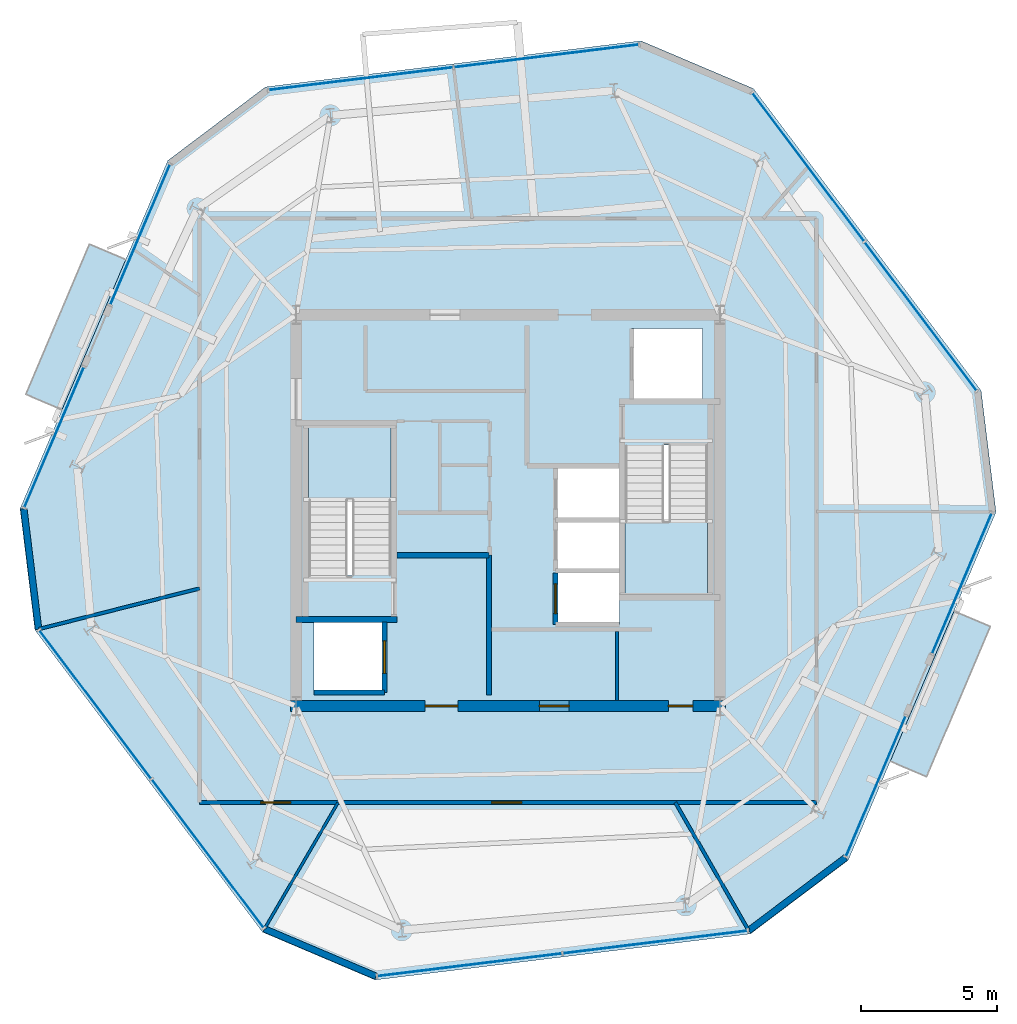
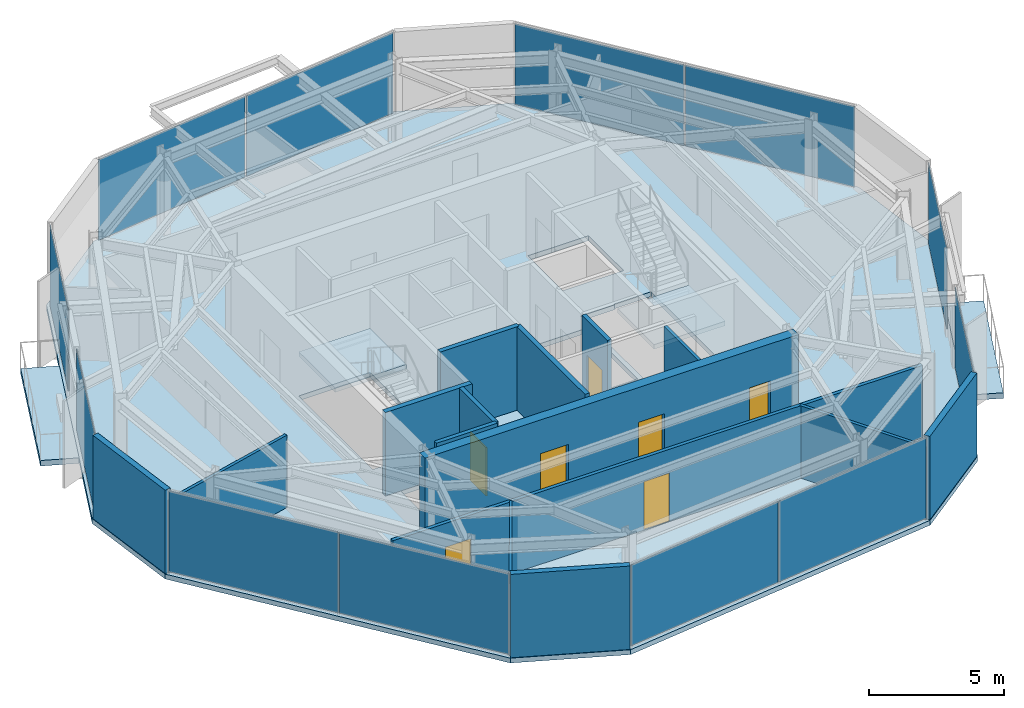
# One storey, part 6 of 11: 15 walls, 12 plates, 7 doors, 5 slabs, 7 openings, 10 elements without a shape of their own.
"""IFC4 building model written with IfcOpenShell, lengths in metres."""

from ifc_helpers import new_model, si_unit, direction, frame, frame_2d, origin, origin_2d, place, context, subcontext, project, spatial, polyline, rectangle, outline, extrude, material, layer, layer_set, type_object, element, fill, aggregate, save


model = new_model("IFC4")

# Units and contexts
model_context = context("Model", 3, precision=1e-05, world=origin(), true_north=direction((0.0, 1.0)))
body_context = subcontext(model_context, "Body", "Model", "MODEL_VIEW")
ifc_project = project(units=[si_unit("LENGTHUNIT", "METRE"), si_unit("AREAUNIT", "SQUARE_METRE"), si_unit("VOLUMEUNIT", "CUBIC_METRE"), si_unit("PLANEANGLEUNIT", "RADIAN"), si_unit("MASSUNIT", "GRAM", prefix="KILO")], contexts=[model_context])

# Site, building, storey
site_placement = place(None, origin())
site = spatial("IfcSite", under=ifc_project, at=site_placement, CompositionType="ELEMENT")
building_placement = place(site_placement, origin())
building = spatial("IfcBuilding", under=site, at=building_placement, Name="Kranzbogen Civic Tower", CompositionType="ELEMENT")
storey_placement = place(building_placement, frame((0.0, 0.0, 294.199951171875)))
storey = spatial("IfcBuildingStorey", under=building, at=storey_placement, Name="L71", CompositionType="ELEMENT", Elevation=294.199951171875)

# Slab
ifc_material_1 = material(Name="Concrete C40/50", Category="concrete")
ifc_layer_1 = layer(ifc_material_1, 0.219970703125, Name="Concrete C40/50")
ifc_layer_set_1 = layer_set([ifc_layer_1], Name="Concrete C40/50")
slab_type_1 = type_object("IfcSlabType", Name="Composite Upper Tower Floor Slab 220 mm", PredefinedType="FLOOR", material=ifc_layer_set_1)
slab_1_placement = place(storey_placement, frame((0.0, 0.0, -0.219970703125)))
element("IfcSlab", 1, at=slab_1_placement, inside=storey, type_object=slab_type_1, Name="L71 tower floor slab", PredefinedType="FLOOR", context=body_context, shape_type="SweptSolid", body=[
    extrude(outline(polyline([(29.89208984375, 42.283935546875), (16.072021484375, 40.5869140625), (12.47802734375, 37.8779296875), (7.0380859375, 25.06103515625), (7.5859375, 20.594970703125), (15.966064453125, 9.47509765625), (20.10791015625, 7.716064453125), (33.927978515625, 9.4130859375), (37.52197265625, 12.1220703125), (42.9619140625, 24.93896484375), (42.4140625, 29.405029296875), (34.033935546875, 40.52490234375), (29.89208984375, 42.283935546875)]), holes=[polyline([(17.85009765625, 20.89990234375), (20.449951171875, 20.89990234375), (20.449951171875, 18.300048828125), (17.85009765625, 18.300048828125), (17.85009765625, 20.89990234375)]), polyline([(29.10009765625, 22.699951171875), (29.10009765625, 20.800048828125), (26.75, 20.800048828125), (26.75, 22.699951171875), (29.10009765625, 22.699951171875)]), polyline([(29.10009765625, 24.64990234375), (29.10009765625, 22.77490234375), (26.75, 22.77490234375), (26.75, 24.64990234375), (26.75, 24.675048828125), (26.75, 26.550048828125), (29.10009765625, 26.550048828125), (29.10009765625, 24.675048828125), (29.10009765625, 24.64990234375)]), polyline([(29.300048828125, 27.340087890625), (30.75, 27.340087890625), (30.75, 27.39990234375), (32.35009765625, 27.39990234375), (32.35009765625, 21.89990234375), (29.300048828125, 21.89990234375), (29.300048828125, 27.340087890625)]), polyline([(20.699951171875, 22.659912109375), (19.25, 22.659912109375), (19.25, 22.60009765625), (17.64990234375, 22.60009765625), (17.64990234375, 28.10009765625), (20.699951171875, 28.10009765625), (20.699951171875, 22.659912109375)]), polyline([(32.14990234375, 31.699951171875), (32.14990234375, 29.10009765625), (29.550048828125, 29.10009765625), (29.550048828125, 31.699951171875), (32.14990234375, 31.699951171875)])]), origin(), (0.0, 0.0, 1.0), 0.219970703125),
])

# Curtain wall, plates
ifc_material_2 = material(Name="Pale Anodised Aluminium", Category="aluminium")
ifc_layer_2 = layer(ifc_material_2, 0.219970703125, Name="Pale Anodised Aluminium")
ifc_layer_set_2 = layer_set([ifc_layer_2], Name="Pale Anodised Aluminium")
curtain_wall_type = type_object("IfcCurtainWallType", Name="Zone 4 Stick Curtain Wall System CW-05", PredefinedType="USERDEFINED", material=ifc_layer_set_2)
curtain_wall_1_placement = place(storey_placement, origin())
curtain_wall_1 = element("IfcCurtainWall", 2, at=curtain_wall_1_placement, inside=storey, type_object=curtain_wall_type, Name="L71 curtain wall CW-L71-F1", ObjectType="STICK CURTAIN WALL", PredefinedType="USERDEFINED")
ifc_material_3 = material(Name="Low-E Triple Glazing Glass", Category="glass")
ifc_layer_3 = layer(ifc_material_3, 0.028076171875, Name="Low-E Triple Glazing Glass")
ifc_layer_set_3 = layer_set([ifc_layer_3], Name="Low-E Triple Glazing Glass")
plate_type = type_object("IfcPlateType", Name="Insulated Low-E Glazing Panel 28 mm", PredefinedType="CURTAIN_PANEL", material=ifc_layer_set_3)
plate_1_placement = place(storey_placement, frame((26.4111328125, 41.726318359375, 0.06005859375), z_axis=(0.0, 0.0, 1.0), x_axis=(-0.992551595895, -0.121824995324, 0.0)))
plate_1 = element("IfcPlate", 3, at=plate_1_placement, type_object=plate_type, Name="CW-05 panel 1.1", PredefinedType="CURTAIN_PANEL", context=body_context, shape_type="SweptSolid", body=[
    extrude(rectangle(XDim=6.8173828125, YDim=0.028076171875, at=origin_2d()), origin(), (0.0, 0.0, 1.0), 3.659912109375),
])
plate_2_placement = place(storey_placement, frame((19.5849609375, 40.888671875, 0.06005859375), z_axis=(0.0, 0.0, 1.0), x_axis=(-0.992551595895, -0.121824995324, 0.0)))
plate_2 = element("IfcPlate", 4, at=plate_2_placement, type_object=plate_type, Name="CW-05 panel 2.1", PredefinedType="CURTAIN_PANEL", context=body_context, shape_type="SweptSolid", body=[
    extrude(rectangle(XDim=6.8173828125, YDim=0.028076171875, at=origin_2d()), origin(), (0.0, 0.0, 1.0), 3.659912109375),
])
aggregate(curtain_wall_1, [plate_1, plate_2])

# Curtain wall, plate
curtain_wall_2_placement = place(storey_placement, origin())
curtain_wall_2 = element("IfcCurtainWall", 5, at=curtain_wall_2_placement, inside=storey, type_object=curtain_wall_type, Name="L71 curtain wall CW-L71-F2-S1", ObjectType="STICK CURTAIN WALL", PredefinedType="USERDEFINED")
plate_3_placement = place(storey_placement, frame((11.4609375, 35.15087890625, 0.06005859375), z_axis=(0.0, 0.0, 1.0), x_axis=(-0.390702820326, -0.920516869041, 0.0)))
plate_3 = element("IfcPlate", 6, at=plate_3_placement, type_object=plate_type, Name="CW-05 panel 1.1", PredefinedType="CURTAIN_PANEL", context=body_context, shape_type="SweptSolid", body=[
    extrude(rectangle(XDim=5.587646484375, YDim=0.028076171875, at=origin_2d()), origin(), (0.0, 0.0, 1.0), 3.659912109375),
])
aggregate(curtain_wall_2, [plate_3])

curtain_wall_3_placement = place(storey_placement, origin())
curtain_wall_3 = element("IfcCurtainWall", 7, at=curtain_wall_3_placement, inside=storey, type_object=curtain_wall_type, Name="L71 curtain wall CW-L71-F2-S2", ObjectType="STICK CURTAIN WALL", PredefinedType="USERDEFINED")
plate_4_placement = place(storey_placement, frame((8.29296875, 27.68798828125, 0.06005859375), z_axis=(0.0, 0.0, 1.0), x_axis=(-0.390702820326, -0.920516869041, 0.0)))
plate_4 = element("IfcPlate", 8, at=plate_4_placement, type_object=plate_type, Name="CW-05 panel 1.1", PredefinedType="CURTAIN_PANEL", context=body_context, shape_type="SweptSolid", body=[
    extrude(rectangle(XDim=5.587646484375, YDim=0.028076171875, at=origin_2d()), origin(), (0.0, 0.0, 1.0), 3.659912109375),
])
aggregate(curtain_wall_3, [plate_4])

# Curtain wall, plates
curtain_wall_4_placement = place(storey_placement, origin())
curtain_wall_4 = element("IfcCurtainWall", 9, at=curtain_wall_4_placement, inside=storey, type_object=curtain_wall_type, Name="L71 curtain wall CW-L71-F3", ObjectType="STICK CURTAIN WALL", PredefinedType="USERDEFINED")
plate_5_placement = place(storey_placement, frame((9.8095703125, 17.85888671875, 0.06005859375), z_axis=(0.0, 0.0, 1.0), x_axis=(0.601816785199, -0.798634182247, 0.0)))
plate_5 = element("IfcPlate", 10, at=plate_5_placement, type_object=plate_type, Name="CW-05 panel 1.1", PredefinedType="CURTAIN_PANEL", context=body_context, shape_type="SweptSolid", body=[
    extrude(rectangle(XDim=6.8173828125, YDim=0.028076171875, at=origin_2d()), origin(), (0.0, 0.0, 1.0), 3.659912109375),
])
plate_6_placement = place(storey_placement, frame((13.948486328125, 12.3662109375, 0.06005859375), z_axis=(0.0, 0.0, 1.0), x_axis=(0.601816785199, -0.798634182247, 0.0)))
plate_6 = element("IfcPlate", 11, at=plate_6_placement, type_object=plate_type, Name="CW-05 panel 2.1", PredefinedType="CURTAIN_PANEL", context=body_context, shape_type="SweptSolid", body=[
    extrude(rectangle(XDim=6.8173828125, YDim=0.028076171875, at=origin_2d()), origin(), (0.0, 0.0, 1.0), 3.659912109375),
])
aggregate(curtain_wall_4, [plate_5, plate_6])

curtain_wall_5_placement = place(storey_placement, origin())
curtain_wall_5 = element("IfcCurtainWall", 12, at=curtain_wall_5_placement, inside=storey, type_object=curtain_wall_type, Name="L71 curtain wall CW-L71-F4", ObjectType="STICK CURTAIN WALL", PredefinedType="USERDEFINED")
plate_7_placement = place(storey_placement, frame((23.5888671875, 8.273681640625, 0.06005859375), z_axis=(0.0, 0.0, 1.0), x_axis=(0.992551595895, 0.121824995324, 0.0)))
plate_7 = element("IfcPlate", 13, at=plate_7_placement, type_object=plate_type, Name="CW-05 panel 1.1", PredefinedType="CURTAIN_PANEL", context=body_context, shape_type="SweptSolid", body=[
    extrude(rectangle(XDim=6.8173828125, YDim=0.028076171875, at=origin_2d()), origin(), (0.0, 0.0, 1.0), 3.659912109375),
])
plate_8_placement = place(storey_placement, frame((30.4150390625, 9.111328125, 0.06005859375), z_axis=(0.0, 0.0, 1.0), x_axis=(0.992551595895, 0.121824995324, 0.0)))
plate_8 = element("IfcPlate", 14, at=plate_8_placement, type_object=plate_type, Name="CW-05 panel 2.1", PredefinedType="CURTAIN_PANEL", context=body_context, shape_type="SweptSolid", body=[
    extrude(rectangle(XDim=6.8173828125, YDim=0.028076171875, at=origin_2d()), origin(), (0.0, 0.0, 1.0), 3.659912109375),
])
aggregate(curtain_wall_5, [plate_7, plate_8])

# Curtain wall, plate
curtain_wall_6_placement = place(storey_placement, origin())
curtain_wall_6 = element("IfcCurtainWall", 15, at=curtain_wall_6_placement, inside=storey, type_object=curtain_wall_type, Name="L71 curtain wall CW-L71-F5-S1", ObjectType="STICK CURTAIN WALL", PredefinedType="USERDEFINED")
plate_9_placement = place(storey_placement, frame((38.5390625, 14.84912109375, 0.06005859375), z_axis=(0.0, 0.0, 1.0), x_axis=(0.390702820326, 0.920516869041, 0.0)))
plate_9 = element("IfcPlate", 16, at=plate_9_placement, type_object=plate_type, Name="CW-05 panel 1.1", PredefinedType="CURTAIN_PANEL", context=body_context, shape_type="SweptSolid", body=[
    extrude(rectangle(XDim=5.587646484375, YDim=0.028076171875, at=origin_2d()), origin(), (0.0, 0.0, 1.0), 3.659912109375),
])
aggregate(curtain_wall_6, [plate_9])

curtain_wall_7_placement = place(storey_placement, origin())
curtain_wall_7 = element("IfcCurtainWall", 17, at=curtain_wall_7_placement, inside=storey, type_object=curtain_wall_type, Name="L71 curtain wall CW-L71-F5-S2", ObjectType="STICK CURTAIN WALL", PredefinedType="USERDEFINED")
plate_10_placement = place(storey_placement, frame((41.70703125, 22.31201171875, 0.06005859375), z_axis=(0.0, 0.0, 1.0), x_axis=(0.390702820326, 0.920516869041, 0.0)))
plate_10 = element("IfcPlate", 18, at=plate_10_placement, type_object=plate_type, Name="CW-05 panel 1.1", PredefinedType="CURTAIN_PANEL", context=body_context, shape_type="SweptSolid", body=[
    extrude(rectangle(XDim=5.587646484375, YDim=0.028076171875, at=origin_2d()), origin(), (0.0, 0.0, 1.0), 3.659912109375),
])
aggregate(curtain_wall_7, [plate_10])

# Curtain wall, plates
curtain_wall_8_placement = place(storey_placement, origin())
curtain_wall_8 = element("IfcCurtainWall", 19, at=curtain_wall_8_placement, inside=storey, type_object=curtain_wall_type, Name="L71 curtain wall CW-L71-F6", ObjectType="STICK CURTAIN WALL", PredefinedType="USERDEFINED")
plate_11_placement = place(storey_placement, frame((40.1904296875, 32.14111328125, 0.06005859375), z_axis=(0.0, 0.0, 1.0), x_axis=(-0.601816785199, 0.798634182247, 0.0)))
plate_11 = element("IfcPlate", 20, at=plate_11_placement, type_object=plate_type, Name="CW-05 panel 1.1", PredefinedType="CURTAIN_PANEL", context=body_context, shape_type="SweptSolid", body=[
    extrude(rectangle(XDim=6.8173828125, YDim=0.028076171875, at=origin_2d()), origin(), (0.0, 0.0, 1.0), 3.659912109375),
])
plate_12_placement = place(storey_placement, frame((36.051513671875, 37.6337890625, 0.06005859375), z_axis=(0.0, 0.0, 1.0), x_axis=(-0.601816785199, 0.798634182247, 0.0)))
plate_12 = element("IfcPlate", 21, at=plate_12_placement, type_object=plate_type, Name="CW-05 panel 2.1", PredefinedType="CURTAIN_PANEL", context=body_context, shape_type="SweptSolid", body=[
    extrude(rectangle(XDim=6.8173828125, YDim=0.028076171875, at=origin_2d()), origin(), (0.0, 0.0, 1.0), 3.659912109375),
])
aggregate(curtain_wall_8, [plate_11, plate_12])

# Stair, slab
ifc_material_4 = material(Name="Precast concrete C40/50", Category="concrete")
stair_type_1 = type_object("IfcStairType", Name="Tower Core Pressurized Dogleg Stair 1450", PredefinedType="HALF_TURN_STAIR", material=ifc_material_4)
stair_1_placement = place(storey_placement, origin())
stair_1 = element("IfcStair", 22, at=stair_1_placement, inside=storey, type_object=stair_type_1, Name="L71 Tower Core Pressurized Stair 1", PredefinedType="HALF_TURN_STAIR")
ifc_layer_4 = layer(ifc_material_4, 0.199951171875, Name="Precast concrete C40/50")
ifc_layer_set_4 = layer_set([ifc_layer_4], Name="Precast concrete C40/50")
slab_type_2 = type_object("IfcSlabType", Name="Precast Concrete Stair Landing Slab 200 mm", PredefinedType="LANDING", material=ifc_layer_set_4)
slab_2_placement = place(storey_placement, frame((0.0, 0.0, 1.800048828125)))
slab_2 = element("IfcSlab", 23, at=slab_2_placement, type_object=slab_type_2, Name="ST-T1 landing 1", PredefinedType="LANDING", context=body_context, shape_type="SweptSolid", body=[
    extrude(outline(polyline([(20.699951171875, 25.39990234375), (20.699951171875, 28.10009765625), (17.64990234375, 28.10009765625), (17.64990234375, 25.39990234375), (20.699951171875, 25.39990234375)])), origin(), (0.0, 0.0, 1.0), 0.199951171875),
])
aggregate(stair_1, [slab_2])

stair_type_2 = type_object("IfcStairType", Name="Tower Core Secondary Dogleg Stair 1450", PredefinedType="HALF_TURN_STAIR", material=ifc_material_4)
stair_2_placement = place(storey_placement, origin())
stair_2 = element("IfcStair", 24, at=stair_2_placement, inside=storey, type_object=stair_type_2, Name="L71 Tower Core Pressurized Stair 2", PredefinedType="HALF_TURN_STAIR")
slab_3_placement = place(storey_placement, frame((0.0, 0.0, 1.800048828125)))
slab_3 = element("IfcSlab", 25, at=slab_3_placement, type_object=slab_type_2, Name="ST-T2 landing 1", PredefinedType="LANDING", context=body_context, shape_type="SweptSolid", body=[
    extrude(outline(polyline([(29.300048828125, 24.60009765625), (29.300048828125, 21.89990234375), (32.35009765625, 21.89990234375), (32.35009765625, 24.60009765625), (29.300048828125, 24.60009765625)])), origin(), (0.0, 0.0, 1.0), 0.199951171875),
])
aggregate(stair_2, [slab_3])

# Slabs
ifc_layer_5 = layer(ifc_material_1, 0.25, Name="Concrete C40/50")
ifc_layer_set_5 = layer_set([ifc_layer_5], Name="Concrete C40/50")
slab_type_3 = type_object("IfcSlabType", Name="Tree Balcony Cantilevered Slab 250 mm", PredefinedType="FLOOR", material=ifc_layer_set_5)
slab_4_placement = place(storey_placement, frame((0.0, 0.0, -0.25)))
element("IfcSlab", 26, at=slab_4_placement, inside=storey, type_object=slab_type_3, Name="L71 cantilevered tree balcony L71-TB1", PredefinedType="FLOOR", context=body_context, shape_type="SweptSolid", body=[
    extrude(outline(polyline([(10.929931640625, 34.23095703125), (8.5859375, 28.7080078125), (7.2509765625, 29.27490234375), (9.594970703125, 34.798095703125), (10.929931640625, 34.23095703125)])), origin(), (0.0, 0.0, 1.0), 0.25),
])
slab_5_placement = place(storey_placement, frame((0.0, 0.0, -0.25)))
element("IfcSlab", 27, at=slab_5_placement, inside=storey, type_object=slab_type_3, Name="L71 cantilevered tree balcony L71-TB2", PredefinedType="FLOOR", context=body_context, shape_type="SweptSolid", body=[
    extrude(outline(polyline([(39.070068359375, 15.76904296875), (41.4140625, 21.2919921875), (42.7490234375, 20.72509765625), (40.405029296875, 15.201904296875), (39.070068359375, 15.76904296875)])), origin(), (0.0, 0.0, 1.0), 0.25),
])

# Wall, openings, doors
ifc_material_5 = material(Name="Double-Stud Acoustic Gypsum Partition")
ifc_layer_6 = layer(ifc_material_5, 0.14990234375, Name="Double-Stud Acoustic Gypsum Partition")
ifc_layer_set_6 = layer_set([ifc_layer_6], Name="Double-Stud Acoustic Gypsum Partition")
wall_type_1 = type_object("IfcWallType", Name="Acoustic Corridor and Clinical Partition 150 mm", PredefinedType="PARTITIONING", material=ifc_layer_set_6)
wall_1_placement = place(storey_placement, frame((36.35009765625, 14.25, 0.0), z_axis=(0.0, 0.0, 1.0), x_axis=(-1.0, 0.0, 0.0)))
wall_1 = element("IfcWall", 28, at=wall_1_placement, inside=storey, type_object=wall_type_1, Name="L71 corridor partition 03", PredefinedType="PARTITIONING", context=body_context, shape_type="SweptSolid", body=[
    extrude(rectangle(XDim=22.7001953125, YDim=0.14990234375, at=frame_2d((11.35009765625, 0.0))), origin(), (0.0, 0.0, 1.0), 3.280029296875),
])
opening_1_placement = place(wall_1_placement, frame((19.35595703125, 0.0, 0.0)))
opening_1 = element("IfcOpeningElement", 29, at=opening_1_placement, cuts=wall_1, Name="Opening D-COR60", PredefinedType="OPENING", context=body_context, shape_type="SweptSolid", body=[
    extrude(rectangle(XDim=1.10009765625, YDim=2.199951171875, at=frame_2d((0.550048828125, 1.10009765625))), frame((0.0, 0.0849609375, 0.0), z_axis=(0.0, -1.0, 0.0), x_axis=(1.0, 0.0, 0.0)), (0.0, 0.0, 1.0), 0.169921875),
])
opening_2_placement = place(wall_1_placement, frame((10.84912109375, 0.0, 0.0)))
opening_2 = element("IfcOpeningElement", 30, at=opening_2_placement, cuts=wall_1, Name="Opening D-COR60", PredefinedType="OPENING", context=body_context, shape_type="SweptSolid", body=[
    extrude(rectangle(XDim=1.10009765625, YDim=2.199951171875, at=frame_2d((0.550048828125, 1.10009765625))), frame((0.0, 0.0849609375, 0.0), z_axis=(0.0, -1.0, 0.0), x_axis=(1.0, 0.0, 0.0)), (0.0, 0.0, 1.0), 0.169921875),
])
ifc_material_6 = material(Name="Oak Timber and Fire Core", Category="wood")
door_type_1 = type_object("IfcDoorType", Name="Corridor Acoustic Fire Door 1100x2200", OperationType="NOTDEFINED", PredefinedType="DOOR", material=ifc_material_6)
door_1_placement = place(opening_1_placement, origin())
door_1 = element("IfcDoor", 31, at=door_1_placement, inside=storey, type_object=door_type_1, Name="L71 Public Delegation Reception door", OperationType="SINGLE_SWING_RIGHT", OverallHeight=2.199951171875, OverallWidth=1.10009765625, PredefinedType="DOOR", context=body_context, shape_type="SweptSolid", body=[
    extrude(rectangle(XDim=1.10009765625, YDim=2.199951171875, at=frame_2d((0.550048828125, 1.10009765625))), frame((0.0, 0.02490234375, 0.0), z_axis=(0.0, -1.0, 0.0), x_axis=(1.0, 0.0, 0.0)), (0.0, 0.0, 1.0), 0.050048828125),
])
fill(opening_1, door_1)
door_2_placement = place(opening_2_placement, origin())
door_2 = element("IfcDoor", 32, at=door_2_placement, inside=storey, type_object=door_type_1, Name="L71 Visitor Concierge Foyer door", OperationType="SINGLE_SWING_LEFT", OverallHeight=2.199951171875, OverallWidth=1.10009765625, PredefinedType="DOOR", context=body_context, shape_type="SweptSolid", body=[
    extrude(rectangle(XDim=1.10009765625, YDim=2.199951171875, at=frame_2d((0.550048828125, 1.10009765625))), frame((0.0, 0.02490234375, 0.0), z_axis=(0.0, -1.0, 0.0), x_axis=(1.0, 0.0, 0.0)), (0.0, 0.0, 1.0), 0.050048828125),
])
fill(opening_2, door_2)

# Walls
ifc_material_7 = material(Name="Insulated Metal-Stud Gypsum Partition")
ifc_layer_7 = layer(ifc_material_7, 0.125, Name="Insulated Metal-Stud Gypsum Partition")
ifc_layer_set_7 = layer_set([ifc_layer_7], Name="Insulated Metal-Stud Gypsum Partition")
wall_type_2 = type_object("IfcWallType", Name="Acoustic Inter-Room Partition 125 mm", PredefinedType="PARTITIONING", material=ifc_layer_set_7)
wall_2_placement = place(storey_placement, frame((29.010009765625, 18.010009765625, 0.0), z_axis=(0.0, 0.0, 1.0), x_axis=(0.0, 1.0, 0.0)))
element("IfcWall", 33, at=wall_2_placement, inside=storey, type_object=wall_type_2, Name="L71 core auxiliary partition 1", PredefinedType="PARTITIONING", context=body_context, shape_type="SweptSolid", body=[
    extrude(rectangle(XDim=2.5400390625, YDim=0.125, at=frame_2d((1.27001953125, 0.0))), origin(), (0.0, 0.0, 1.0), 3.780029296875),
])
wall_3_placement = place(storey_placement, frame((13.64990234375, 22.12890625, 0.0), z_axis=(0.0, 0.0, 1.0), x_axis=(-0.969486629442, -0.245144192941, 0.0)))
element("IfcWall", 34, at=wall_3_placement, inside=storey, type_object=wall_type_2, Name="L71 radial room partition 03", PredefinedType="PARTITIONING", context=body_context, shape_type="SweptSolid", body=[
    extrude(rectangle(XDim=6.097900390625, YDim=0.125, at=frame_2d((3.048828125, 0.0))), origin(), (0.0, 0.0, 1.0), 3.280029296875),
])
wall_4_placement = place(storey_placement, frame((31.156982421875, 14.25, 0.0), z_axis=(0.0, 0.0, 1.0), x_axis=(0.497094675542, -0.867696308364, 0.0)))
element("IfcWall", 35, at=wall_4_placement, inside=storey, type_object=wall_type_2, Name="L71 radial room partition 05", PredefinedType="PARTITIONING", context=body_context, shape_type="SweptSolid", body=[
    extrude(rectangle(XDim=5.417724609375, YDim=0.125, at=frame_2d((2.708984375, 0.0))), origin(), (0.0, 0.0, 1.0), 3.280029296875),
])

# Wall, openings, doors
ifc_material_8 = material(Name="Concrete C45/55", Category="concrete")
ifc_layer_8 = layer(ifc_material_8, 0.419921875, Name="Concrete C45/55")
ifc_layer_set_8 = layer_set([ifc_layer_8], Name="Concrete C45/55")
wall_type_3 = type_object("IfcWallType", Name="Central Core Shear Wall 420 mm", PredefinedType="SHEAR", material=ifc_layer_set_8)
wall_5_placement = place(storey_placement, frame((16.989990234375, 17.800048828125, 0.0), z_axis=(0.0, 0.0, 1.0), x_axis=(1.0, 0.0, 0.0)))
wall_5 = element("IfcWall", 36, at=wall_5_placement, inside=storey, type_object=wall_type_3, Name="L71 central core South shear wall", PredefinedType="SHEAR", context=body_context, shape_type="SweptSolid", body=[
    extrude(rectangle(XDim=16.02001953125, YDim=0.419921875, at=frame_2d((8.010009765625, 0.0))), origin(), (0.0, 0.0, 1.0), 3.780029296875),
])
opening_3_placement = place(wall_5_placement, frame((4.9599609375, 0.0, 0.0)))
opening_3 = element("IfcOpeningElement", 37, at=opening_3_placement, cuts=wall_5, Name="Opening D-EX120", PredefinedType="OPENING", context=body_context, shape_type="SweptSolid", body=[
    extrude(rectangle(XDim=1.199951171875, YDim=2.25, at=frame_2d((0.60009765625, 1.125))), frame((0.0, 0.219970703125, 0.0), z_axis=(0.0, -1.0, 0.0), x_axis=(1.0, 0.0, 0.0)), (0.0, 0.0, 1.0), 0.43994140625),
])
opening_4_placement = place(wall_5_placement, frame((13.909912109375, 0.0, 0.0)))
opening_4 = element("IfcOpeningElement", 38, at=opening_4_placement, cuts=wall_5, Name="Opening D-WC90", PredefinedType="OPENING", context=body_context, shape_type="SweptSolid", body=[
    extrude(rectangle(XDim=0.89990234375, YDim=2.10009765625, at=frame_2d((0.449951171875, 1.050048828125))), frame((0.0, 0.219970703125, 0.0), z_axis=(0.0, -1.0, 0.0), x_axis=(1.0, 0.0, 0.0)), (0.0, 0.0, 1.0), 0.43994140625),
])
opening_5_placement = place(wall_5_placement, frame((9.159912109375, 0.0, 0.0)))
opening_5 = element("IfcOpeningElement", 39, at=opening_5_placement, cuts=wall_5, Name="Opening D-COR60", PredefinedType="OPENING", context=body_context, shape_type="SweptSolid", body=[
    extrude(rectangle(XDim=1.10009765625, YDim=2.199951171875, at=frame_2d((0.550048828125, 1.10009765625))), frame((0.0, 0.219970703125, 0.0), z_axis=(0.0, -1.0, 0.0), x_axis=(1.0, 0.0, 0.0)), (0.0, 0.0, 1.0), 0.43994140625),
])
door_3_placement = place(opening_5_placement, origin())
door_3 = element("IfcDoor", 40, at=door_3_placement, inside=storey, type_object=door_type_1, Name="L71 REC1 archive room door", OperationType="SINGLE_SWING_RIGHT", OverallHeight=2.199951171875, OverallWidth=1.10009765625, PredefinedType="DOOR", context=body_context, shape_type="SweptSolid", body=[
    extrude(rectangle(XDim=1.10009765625, YDim=2.199951171875, at=frame_2d((0.550048828125, 1.10009765625))), frame((0.0, 0.02490234375, 0.0), z_axis=(0.0, -1.0, 0.0), x_axis=(1.0, 0.0, 0.0)), (0.0, 0.0, 1.0), 0.050048828125),
])
fill(opening_5, door_3)
ifc_material_9 = material(Name="Steel S355", Category="steel")
door_type_2 = type_object("IfcDoorType", Name="Exit Passageway Fire Door 1200x2250", OperationType="NOTDEFINED", PredefinedType="DOOR", material=ifc_material_9)
door_4_placement = place(opening_3_placement, origin())
door_4 = element("IfcDoor", 41, at=door_4_placement, inside=storey, type_object=door_type_2, Name="L71 West firefighting lobby corridor door", OperationType="SINGLE_SWING_LEFT", OverallHeight=2.25, OverallWidth=1.199951171875, PredefinedType="DOOR", context=body_context, shape_type="SweptSolid", body=[
    extrude(rectangle(XDim=1.199951171875, YDim=2.25, at=frame_2d((0.60009765625, 1.125))), frame((0.0, 0.02490234375, 0.0), z_axis=(0.0, -1.0, 0.0), x_axis=(1.0, 0.0, 0.0)), (0.0, 0.0, 1.0), 0.050048828125),
])
fill(opening_3, door_4)
ifc_material_10 = material(Name="Moisture-Resistant Laminate")
door_type_3 = type_object("IfcDoorType", Name="Standard Restroom and Store Door 900x2100", OperationType="NOTDEFINED", PredefinedType="DOOR", material=ifc_material_10)
door_5_placement = place(opening_4_placement, origin())
door_5 = element("IfcDoor", 42, at=door_5_placement, inside=storey, type_object=door_type_3, Name="L71 East electrical riser access door", OperationType="SINGLE_SWING_LEFT", OverallHeight=2.10009765625, OverallWidth=0.89990234375, PredefinedType="DOOR", context=body_context, shape_type="SweptSolid", body=[
    extrude(rectangle(XDim=0.89990234375, YDim=2.10009765625, at=frame_2d((0.449951171875, 1.050048828125))), frame((0.0, 0.02490234375, 0.0), z_axis=(0.0, -1.0, 0.0), x_axis=(1.0, 0.0, 0.0)), (0.0, 0.0, 1.0), 0.050048828125),
])
fill(opening_4, door_5)

# Walls
ifc_layer_9 = layer(ifc_material_8, 0.219970703125, Name="Concrete C45/55")
ifc_layer_set_9 = layer_set([ifc_layer_9], Name="Concrete C45/55")
wall_type_4 = type_object("IfcWallType", Name="Core Internal Stair Structural Wall 220 mm", PredefinedType="SOLIDWALL", material=ifc_layer_set_9)
wall_6_placement = place(storey_placement, frame((17.199951171875, 20.989990234375, 0.0), z_axis=(0.0, 0.0, 1.0), x_axis=(1.0, 0.0, 0.0)))
element("IfcWall", 43, at=wall_6_placement, inside=storey, type_object=wall_type_4, Name="L71 ST-T1 South structural stair wall", PredefinedType="SOLIDWALL", context=body_context, shape_type="SweptSolid", body=[
    extrude(rectangle(XDim=3.719970703125, YDim=0.219970703125, at=frame_2d((1.85986328125, 0.0))), origin(), (0.0, 0.0, 1.0), 3.780029296875),
])
ifc_material_11 = material(Name="Demountable Aluminium and Gypsum Partition", Category="aluminium")
ifc_layer_10 = layer(ifc_material_11, 0.10009765625, Name="Demountable Aluminium and Gypsum Partition")
ifc_layer_set_10 = layer_set([ifc_layer_10], Name="Demountable Aluminium and Gypsum Partition")
wall_type_5 = type_object("IfcWallType", Name="Demountable Office Partition 100 mm", PredefinedType="MOVABLE", material=ifc_layer_set_10)
wall_7_placement = place(storey_placement, frame((18.7451171875, 14.25, 0.0), z_axis=(0.0, 0.0, 1.0), x_axis=(-0.50305915127, -0.864251983118, 0.0)))
element("IfcWall", 44, at=wall_7_placement, inside=storey, type_object=wall_type_5, Name="L71 radial room partition 04", PredefinedType="MOVABLE", context=body_context, shape_type="SweptSolid", body=[
    extrude(rectangle(XDim=5.367431640625, YDim=0.10009765625, at=frame_2d((2.68359375, 0.0))), origin(), (0.0, 0.0, 1.0), 3.280029296875),
])
ifc_material_12 = material(Name="Gypsum Fireboard and Concrete Block", Category="concrete")
ifc_layer_11 = layer(ifc_material_12, 0.199951171875, Name="Gypsum Fireboard and Concrete Block")
ifc_layer_set_11 = layer_set([ifc_layer_11], Name="Gypsum Fireboard and Concrete Block")
wall_type_6 = type_object("IfcWallType", Name="Fire-Rated Exit Passageway and Stair Wall 200 mm", PredefinedType="PARTITIONING", material=ifc_layer_set_11)
wall_8_placement = place(storey_placement, frame((24.300048828125, 18.199951171875, 0.0), z_axis=(0.0, 0.0, 1.0), x_axis=(0.0, 1.0, 0.0)))
element("IfcWall", 45, at=wall_8_placement, inside=storey, type_object=wall_type_6, Name="L71 West firefighting lobby East wall", PredefinedType="PARTITIONING", context=body_context, shape_type="SweptSolid", body=[
    extrude(rectangle(XDim=5.150146484375, YDim=0.199951171875, at=frame_2d((2.5751953125, 0.0))), origin(), (0.0, 0.0, 1.0), 3.780029296875),
])
wall_9_placement = place(storey_placement, frame((20.919921875, 23.35009765625, 0.0), z_axis=(0.0, 0.0, 1.0), x_axis=(1.0, 0.0, 0.0)))
element("IfcWall", 46, at=wall_9_placement, inside=storey, type_object=wall_type_6, Name="L71 West firefighting lobby North wall", PredefinedType="PARTITIONING", context=body_context, shape_type="SweptSolid", body=[
    extrude(rectangle(XDim=3.380126953125, YDim=0.199951171875, at=frame_2d((1.68994140625, 0.0))), origin(), (0.0, 0.0, 1.0), 3.780029296875),
])

# Wall, opening, door
ifc_material_13 = material(Name="Gypsum Fireboard Shaftliner")
ifc_layer_12 = layer(ifc_material_13, 0.175048828125, Name="Gypsum Fireboard Shaftliner")
ifc_layer_set_12 = layer_set([ifc_layer_12], Name="Gypsum Fireboard Shaftliner")
wall_type_7 = type_object("IfcWallType", Name="Fire-Rated Lift and Service Shaft Wall 175 mm", PredefinedType="PARTITIONING", material=ifc_layer_set_12)
wall_10_placement = place(storey_placement, frame((26.75, 20.800048828125, 0.0), z_axis=(0.0, 0.0, 1.0), x_axis=(0.0, 1.0, 0.0)))
wall_10 = element("IfcWall", 47, at=wall_10_placement, inside=storey, type_object=wall_type_7, Name="L71 lift HP-01 landing wall", PredefinedType="PARTITIONING", context=body_context, shape_type="SweptSolid", body=[
    extrude(rectangle(XDim=1.89990234375, YDim=0.175048828125, at=frame_2d((0.949951171875, 0.0))), origin(), (0.0, 0.0, 1.0), 3.780029296875),
])
opening_6_placement = place(wall_10_placement, frame((0.39990234375, 0.0, 0.0)))
opening_6 = element("IfcOpeningElement", 48, at=opening_6_placement, cuts=wall_10, Name="Opening LD-HP-01", PredefinedType="OPENING", context=body_context, shape_type="SweptSolid", body=[
    extrude(rectangle(XDim=1.10009765625, YDim=2.199951171875, at=frame_2d((0.550048828125, 1.10009765625))), frame((0.0, 0.09765625, 0.0), z_axis=(0.0, -1.0, 0.0), x_axis=(1.0, 0.0, 0.0)), (0.0, 0.0, 1.0), 0.195068359375),
])
door_type_4 = type_object("IfcDoorType", Name="Passenger Lift Sliding Landing Door 1100x2200", OperationType="DOUBLE_DOOR_SLIDING", PredefinedType="DOOR", material=ifc_material_2)
door_6_placement = place(opening_6_placement, origin())
door_6 = element("IfcDoor", 49, at=door_6_placement, inside=storey, type_object=door_type_4, Name="L71 lift HP-01 sliding landing door", OperationType="DOUBLE_DOOR_SLIDING", OverallHeight=2.199951171875, OverallWidth=1.10009765625, PredefinedType="DOOR", context=body_context, shape_type="SweptSolid", body=[
    extrude(rectangle(XDim=1.10009765625, YDim=2.199951171875, at=frame_2d((0.550048828125, 1.10009765625))), frame((0.0, 0.02490234375, 0.0), z_axis=(0.0, -1.0, 0.0), x_axis=(1.0, 0.0, 0.0)), (0.0, 0.0, 1.0), 0.050048828125),
])
fill(opening_6, door_6)

wall_11_placement = place(storey_placement, frame((20.449951171875, 18.300048828125, 0.0), z_axis=(0.0, 0.0, 1.0), x_axis=(0.0, 1.0, 0.0)))
wall_11 = element("IfcWall", 50, at=wall_11_placement, inside=storey, type_object=wall_type_7, Name="L71 lift FF-01 landing wall", PredefinedType="PARTITIONING", context=body_context, shape_type="SweptSolid", body=[
    extrude(rectangle(XDim=2.599853515625, YDim=0.175048828125, at=frame_2d((1.2998046875, 0.0))), origin(), (0.0, 0.0, 1.0), 3.780029296875),
])
opening_7_placement = place(wall_11_placement, frame((0.699951171875, 0.0, 0.0)))
opening_7 = element("IfcOpeningElement", 51, at=opening_7_placement, cuts=wall_11, Name="Opening LD-FF-01", PredefinedType="OPENING", context=body_context, shape_type="SweptSolid", body=[
    extrude(rectangle(XDim=1.199951171875, YDim=2.199951171875, at=frame_2d((0.60009765625, 1.10009765625))), frame((0.0, 0.09765625, 0.0), z_axis=(0.0, -1.0, 0.0), x_axis=(1.0, 0.0, 0.0)), (0.0, 0.0, 1.0), 0.195068359375),
])
door_type_5 = type_object("IfcDoorType", Name="Firefighting and Stretcher Lift Sliding Landing Door 1200x2200", OperationType="DOUBLE_DOOR_SLIDING", PredefinedType="DOOR", material=ifc_material_2)
door_7_placement = place(opening_7_placement, origin())
door_7 = element("IfcDoor", 52, at=door_7_placement, inside=storey, type_object=door_type_5, Name="L71 lift FF-01 sliding landing door", OperationType="DOUBLE_DOOR_SLIDING", OverallHeight=2.199951171875, OverallWidth=1.199951171875, PredefinedType="DOOR", context=body_context, shape_type="SweptSolid", body=[
    extrude(rectangle(XDim=1.199951171875, YDim=2.199951171875, at=frame_2d((0.60009765625, 1.10009765625))), frame((0.0, 0.02490234375, 0.0), z_axis=(0.0, -1.0, 0.0), x_axis=(1.0, 0.0, 0.0)), (0.0, 0.0, 1.0), 0.050048828125),
])
fill(opening_7, door_7)

# Walls
wall_12_placement = place(storey_placement, frame((17.85009765625, 18.300048828125, 0.0), z_axis=(0.0, 0.0, 1.0), x_axis=(1.0, 0.0, 0.0)))
element("IfcWall", 53, at=wall_12_placement, inside=storey, type_object=wall_type_7, Name="L71 lift FF-01 side wall", PredefinedType="PARTITIONING", context=body_context, shape_type="SweptSolid", body=[
    extrude(rectangle(XDim=2.599853515625, YDim=0.175048828125, at=frame_2d((1.2998046875, 0.0))), origin(), (0.0, 0.0, 1.0), 3.780029296875),
])
ifc_layer_13 = layer(ifc_material_2, 0.239990234375, Name="Pale Anodised Aluminium")
ifc_layer_set_13 = layer_set([ifc_layer_13], Name="Pale Anodised Aluminium")
wall_type_8 = type_object("IfcWallType", Name="Insulated Aluminium Facade Portal Wall 240 mm", PredefinedType="STANDARD", material=ifc_layer_set_13)
wall_13_placement = place(storey_placement, frame((7.177978515625, 25.06103515625, 0.0), z_axis=(0.0, 0.0, 1.0), x_axis=(0.121813815836, -0.992552967993, 0.0)))
element("IfcWall", 54, at=wall_13_placement, inside=storey, type_object=wall_type_8, Name="L71 chamfered corner facade spandrel 2", PredefinedType="STANDARD", context=body_context, shape_type="SweptSolid", body=[
    extrude(rectangle(XDim=4.46533203125, YDim=0.239990234375, at=frame_2d((2.232666015625, 0.0))), origin(), (0.0, 0.0, 1.0), 3.780029296875),
])
wall_14_placement = place(storey_placement, frame((16.035888671875, 9.595947265625, 0.0), z_axis=(0.0, 0.0, 1.0), x_axis=(0.92048584613, -0.390775903908, 0.0)))
element("IfcWall", 55, at=wall_14_placement, inside=storey, type_object=wall_type_8, Name="L71 chamfered corner facade spandrel 3", PredefinedType="STANDARD", context=body_context, shape_type="SweptSolid", body=[
    extrude(rectangle(XDim=4.465087890625, YDim=0.239990234375, at=frame_2d((2.232421875, 0.0))), origin(), (0.0, 0.0, 1.0), 3.780029296875),
])
wall_15_placement = place(storey_placement, frame((33.85791015625, 9.533935546875, 0.0), z_axis=(0.0, 0.0, 1.0), x_axis=(0.798560985543, 0.601913907772, 0.0)))
element("IfcWall", 56, at=wall_15_placement, inside=storey, type_object=wall_type_8, Name="L71 chamfered corner facade spandrel 4", PredefinedType="STANDARD", context=body_context, shape_type="SweptSolid", body=[
    extrude(rectangle(XDim=4.4658203125, YDim=0.239990234375, at=frame_2d((2.23291015625, 0.0))), origin(), (0.0, 0.0, 1.0), 3.780029296875),
])

save(model, "model.ifc")
